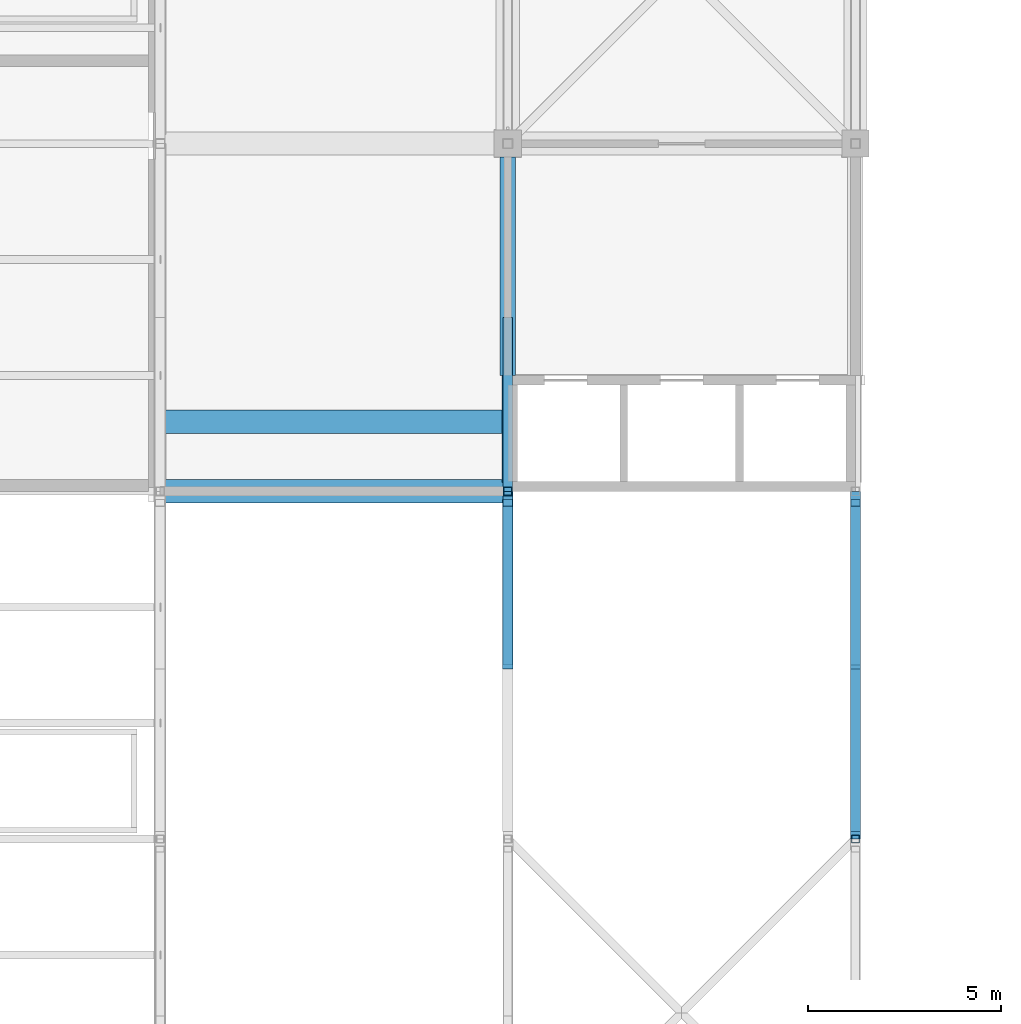
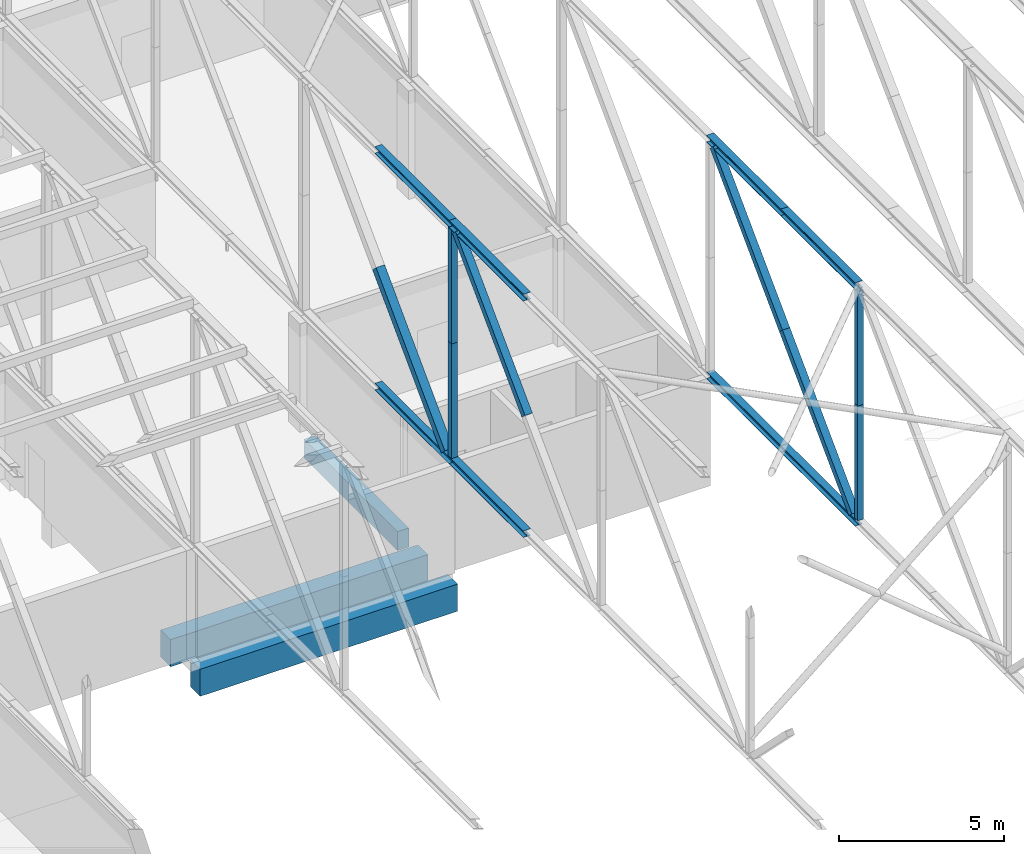
# One storey, part 57 of 646: 16 members, 3 beams.
"""IFC4 building model written with IfcOpenShell, lengths in metres."""

from ifc_helpers import new_model, si_unit, direction, frame, origin, origin_2d, place, context, subcontext, project, spatial, rectangle, hollow_rectangle, i_section, extrude, material, material_profile, profile_set, type_object, element, save


model = new_model("IFC4")

# Units and contexts
model_context = context("Model", 3, precision=1e-05, world=origin(), true_north=direction((0.0, 1.0)))
body_context = subcontext(model_context, "Body", "Model", "MODEL_VIEW")
ifc_project = project(units=[si_unit("LENGTHUNIT", "METRE"), si_unit("AREAUNIT", "SQUARE_METRE"), si_unit("VOLUMEUNIT", "CUBIC_METRE"), si_unit("PLANEANGLEUNIT", "RADIAN"), si_unit("MASSUNIT", "GRAM", prefix="KILO")], contexts=[model_context])

# Site, building, storey
site_placement = place(None, origin())
site = spatial("IfcSite", under=ifc_project, at=site_placement, CompositionType="ELEMENT")
building_placement = place(site_placement, origin())
building = spatial("IfcBuilding", under=site, at=building_placement, Name="Silverbay Arena", CompositionType="ELEMENT")
storey_placement = place(building_placement, frame((0.0, 0.0, 33.5)))
storey = spatial("IfcBuildingStorey", under=building, at=storey_placement, Name="L05", CompositionType="ELEMENT", Elevation=33.5)

# Members
ifc_material_1 = material(Name="Steel S355", Category="steel")
ifc_material_profile_1 = material_profile(ifc_material_1, i_section(OverallWidth=0.254638671875, OverallDepth=0.254150390625, WebThickness=0.008544921875, FlangeThickness=0.01416015625, at=origin_2d()), Name="UC 254x254x73")
ifc_profile_set_1 = profile_set([ifc_material_profile_1], Name="Steel S355")
member_type_1 = type_object("IfcMemberType", Name="Medium-span bottom chord UC 254x254x73", PredefinedType="CHORD", material=ifc_profile_set_1)
for number, where, z_axis, x_axis, name in (
    (1, (90.0, 94.5, 4.126953125), (0.0, 1.0, 0.0), (-1.0, 0.0, 0.0), "ROOF TRUSS 11 bottom chord 10b"),
    (2, (90.0, 99.0, 4.126953125), (0.0, 1.0, 0.0), (-1.0, 0.0, 0.0), "ROOF TRUSS 11 bottom chord 11a"),
    (3, (99.0, 90.0, 4.126953125), (0.0, 1.0, 0.0), (-1.0, 0.0, 0.0), "ROOF TRUSS 12 bottom chord 10a"),
    (4, (99.0, 94.5, 4.126953125), (0.0, 1.0, 0.0), (-1.0, 0.0, 0.0), "ROOF TRUSS 12 bottom chord 10b"),
):
    element("IfcMember", number, at=place(storey_placement, frame(where, z_axis=z_axis, x_axis=x_axis)), inside=storey, type_object=member_type_1, Name=name, PredefinedType="CHORD", context=body_context, shape_type="SweptSolid", body=[
        extrude(i_section(OverallWidth=0.254638671875, OverallDepth=0.254150390625, WebThickness=0.008544921875, FlangeThickness=0.01416015625, at=origin_2d()), origin(), (0.0, 0.0, 1.0), 4.5),
    ])
ifc_material_2 = material(Name="Steel S355", Category="steel")
ifc_material_profile_2 = material_profile(ifc_material_2, i_section(OverallWidth=0.2587890625, OverallDepth=0.2666015625, WebThickness=0.0126953125, FlangeThickness=0.0205078125, at=origin_2d()), Name="UC 254x254x107")
ifc_profile_set_2 = profile_set([ifc_material_profile_2], Name="Steel S355")
member_type_2 = type_object("IfcMemberType", Name="Medium-span top chord UC 254x254x107", PredefinedType="CHORD", material=ifc_profile_set_2)
for number, where, z_axis, x_axis, name in (
    (5, (90.0, 94.5, 12.86669921875), (0.0, 1.0, 0.0), (-1.0, 0.0, 0.0), "ROOF TRUSS 11 top chord 10b"),
    (6, (99.0, 90.0, 12.86669921875), (0.0, 1.0, 0.0), (-1.0, 0.0, 0.0), "ROOF TRUSS 12 top chord 10a"),
    (7, (99.0, 94.5, 12.86669921875), (0.0, 1.0, 0.0), (-1.0, 0.0, 0.0), "ROOF TRUSS 12 top chord 10b"),
):
    element("IfcMember", number, at=place(storey_placement, frame(where, z_axis=z_axis, x_axis=x_axis)), inside=storey, type_object=member_type_2, Name=name, PredefinedType="CHORD", context=body_context, shape_type="SweptSolid", body=[
        extrude(i_section(OverallWidth=0.2587890625, OverallDepth=0.2666015625, WebThickness=0.0126953125, FlangeThickness=0.0205078125, at=origin_2d()), origin(), (0.0, 0.0, 1.0), 4.5),
    ])
ifc_material_3 = material(Name="Steel S355", Category="steel")
ifc_material_profile_3 = material_profile(ifc_material_3, i_section(OverallWidth=0.254638671875, OverallDepth=0.254150390625, WebThickness=0.008544921875, FlangeThickness=0.01416015625, at=origin_2d()), Name="UC 254x254x73")
ifc_profile_set_3 = profile_set([ifc_material_profile_3], Name="Steel S355")
member_type_3 = type_object("IfcMemberType", Name="Medium-span top chord UC 254x254x73", PredefinedType="CHORD", material=ifc_profile_set_3)
member_1_placement = place(storey_placement, frame((90.0, 99.0, 12.873046875), z_axis=(0.0, 1.0, 0.0), x_axis=(-1.0, 0.0, 0.0)))
element("IfcMember", 8, at=member_1_placement, inside=storey, type_object=member_type_3, Name="ROOF TRUSS 11 top chord 11a", PredefinedType="CHORD", context=body_context, shape_type="SweptSolid", body=[
    extrude(i_section(OverallWidth=0.254638671875, OverallDepth=0.254150390625, WebThickness=0.008544921875, FlangeThickness=0.01416015625, at=origin_2d()), origin(), (0.0, 0.0, 1.0), 4.5),
])
ifc_material_4 = material(Name="Steel S355", Category="steel")
ifc_material_profile_4 = material_profile(ifc_material_4, hollow_rectangle(XDim=0.260009765625, YDim=0.260009765625, WallThickness=0.010009765625, at=origin_2d()), Name="SHS 260x260x10")
ifc_profile_set_4 = profile_set([ifc_material_profile_4], Name="Steel S355")
member_type_4 = type_object("IfcMemberType", Name="Medium-span truss diagonal SHS 260x260x10", PredefinedType="BRACE", material=ifc_profile_set_4)
for number, where, z_axis, x_axis, name in (
    (9, (90.0, 98.700439453125, 12.7333984375), (0.0, -0.704218618707, -0.709983194918), (1.0, 0.0, 0.0), "ROOF TRUSS 11 diagonal 10a"),
    (10, (99.0, 98.700439453125, 12.7333984375), (0.0, -0.704218618707, -0.709983194918), (1.0, 0.0, 0.0), "ROOF TRUSS 12 diagonal 10a"),
    (11, (99.0, 94.4951171875, 8.49365234375), (0.0, -0.704259667026, -0.709942477529), (1.0, 0.0, 0.0), "ROOF TRUSS 12 diagonal 10b"),
):
    element("IfcMember", number, at=place(storey_placement, frame(where, z_axis=z_axis, x_axis=x_axis)), inside=storey, type_object=member_type_4, Name=name, PredefinedType="BRACE", context=body_context, shape_type="SweptSolid", body=[
        extrude(hollow_rectangle(XDim=0.260009765625, YDim=0.260009765625, WallThickness=0.010009765625, at=origin_2d()), origin(), (0.0, 0.0, 1.0), 5.9716796875),
    ])
ifc_material_5 = material(Name="Steel S355", Category="steel")
ifc_material_profile_5 = material_profile(ifc_material_5, hollow_rectangle(XDim=0.300048828125, YDim=0.300048828125, WallThickness=0.012451171875, at=origin_2d()), Name="SHS 300x300x12.5")
ifc_profile_set_5 = profile_set([ifc_material_profile_5], Name="Steel S355")
member_type_5 = type_object("IfcMemberType", Name="Medium-span truss diagonal SHS 300x300x12.5", PredefinedType="BRACE", material=ifc_profile_set_5)
member_2_placement = place(storey_placement, frame((90.0, 103.492431640625, 8.5), z_axis=(0.0, -0.700176070598, -0.713970216579), x_axis=(1.0, 0.0, 0.0)))
element("IfcMember", 12, at=member_2_placement, inside=storey, type_object=member_type_5, Name="ROOF TRUSS 11 diagonal 11b", PredefinedType="BRACE", context=body_context, shape_type="SweptSolid", body=[
    extrude(hollow_rectangle(XDim=0.300048828125, YDim=0.300048828125, WallThickness=0.012451171875, at=origin_2d()), origin(), (0.0, 0.0, 1.0), 5.94677734375),
])
ifc_material_6 = material(Name="Steel S355", Category="steel")
ifc_material_profile_6 = material_profile(ifc_material_6, hollow_rectangle(XDim=0.199951171875, YDim=0.199951171875, WallThickness=0.008056640625, at=origin_2d()), Name="SHS 200x200x8")
ifc_profile_set_6 = profile_set([ifc_material_profile_6], Name="Steel S355")
member_type_6 = type_object("IfcMemberType", Name="Medium-span truss vertical SHS 200x200x8", PredefinedType="STRUT", material=ifc_profile_set_6)
member_3_placement = place(storey_placement, frame((99.0, 90.0, 4.254150390625), z_axis=(0.0, 0.0, 1.0), x_axis=(1.0, 0.0, 0.0)))
element("IfcMember", 13, at=member_3_placement, inside=storey, type_object=member_type_6, Name="ROOF TRUSS 12 vertical 10a", PredefinedType="STRUT", context=body_context, shape_type="SweptSolid", body=[
    extrude(hollow_rectangle(XDim=0.199951171875, YDim=0.199951171875, WallThickness=0.008056640625, at=origin_2d()), origin(), (0.0, 0.0, 1.0), 4.239501953125),
])
member_4_placement = place(storey_placement, frame((99.0, 90.0, 8.49365234375), z_axis=(0.0, 0.0, 1.0), x_axis=(1.0, 0.0, 0.0)))
element("IfcMember", 14, at=member_4_placement, inside=storey, type_object=member_type_6, Name="ROOF TRUSS 12 vertical 10b", PredefinedType="STRUT", context=body_context, shape_type="SweptSolid", body=[
    extrude(hollow_rectangle(XDim=0.199951171875, YDim=0.199951171875, WallThickness=0.008056640625, at=origin_2d()), origin(), (0.0, 0.0, 1.0), 4.23974609375),
])
ifc_material_7 = material(Name="Steel S355", Category="steel")
ifc_material_profile_7 = material_profile(ifc_material_7, hollow_rectangle(XDim=0.219970703125, YDim=0.219970703125, WallThickness=0.008056640625, at=origin_2d()), Name="SHS 220x220x8")
ifc_profile_set_7 = profile_set([ifc_material_profile_7], Name="Steel S355")
member_type_7 = type_object("IfcMemberType", Name="Medium-span truss vertical SHS 220x220x8", PredefinedType="STRUT", material=ifc_profile_set_7)
member_5_placement = place(storey_placement, frame((90.0, 99.0, 4.254150390625), z_axis=(0.0, 0.0, 1.0), x_axis=(1.0, 0.0, 0.0)))
element("IfcMember", 15, at=member_5_placement, inside=storey, type_object=member_type_7, Name="ROOF TRUSS 11 vertical 11a", PredefinedType="STRUT", context=body_context, shape_type="SweptSolid", body=[
    extrude(hollow_rectangle(XDim=0.219970703125, YDim=0.219970703125, WallThickness=0.008056640625, at=origin_2d()), origin(), (0.0, 0.0, 1.0), 4.239501953125),
])
member_6_placement = place(storey_placement, frame((90.0, 99.0, 8.49365234375), z_axis=(0.0, 0.0, 1.0), x_axis=(1.0, 0.0, 0.0)))
element("IfcMember", 16, at=member_6_placement, inside=storey, type_object=member_type_7, Name="ROOF TRUSS 11 vertical 11b", PredefinedType="STRUT", context=body_context, shape_type="SweptSolid", body=[
    extrude(hollow_rectangle(XDim=0.219970703125, YDim=0.219970703125, WallThickness=0.008056640625, at=origin_2d()), origin(), (0.0, 0.0, 1.0), 4.23974609375),
])

# Beams
ifc_material_8 = material(Name="Concrete Grade C45", Category="concrete")
ifc_material_profile_8 = material_profile(ifc_material_8, rectangle(XDim=0.39990234375, YDim=0.699951171875, at=origin_2d()), Name="RC 400x700")
ifc_profile_set_8 = profile_set([ifc_material_profile_8], Name="Concrete Grade C45")
beam_type_1 = type_object("IfcBeamType", Name="RC beam 400x700", PredefinedType="BEAM", material=ifc_profile_set_8)
beam_placement = place(storey_placement, frame((90.0, 102.0, -0.64990234375), z_axis=(0.0, 1.0, 0.0), x_axis=(-1.0, 0.0, 0.0)))
element("IfcBeam", 17, at=beam_placement, inside=storey, type_object=beam_type_1, Name="Floor beam L05 092", PredefinedType="BEAM", context=body_context, shape_type="SweptSolid", body=[
    extrude(rectangle(XDim=0.39990234375, YDim=0.699951171875, at=origin_2d()), origin(), (0.0, 0.0, 1.0), 5.64990234375),
])
ifc_material_9 = material(Name="Concrete Grade C45", Category="concrete")
ifc_material_profile_9 = material_profile(ifc_material_9, rectangle(XDim=0.60009765625, YDim=1.0, at=origin_2d()), Name="RC 600x1000")
ifc_profile_set_9 = profile_set([ifc_material_profile_9], Name="Concrete Grade C45")
beam_type_2 = type_object("IfcBeamType", Name="RC beam 600x1000", PredefinedType="BEAM", material=ifc_profile_set_9)
for number, where, z_axis, x_axis, name in (
    (18, (81.0, 99.0, -0.800048828125), (1.0, 0.0, 0.0), (0.0, 1.0, 0.0), "Floor beam L05 040"),
    (19, (81.0, 100.800048828125, -0.800048828125), (1.0, 0.0, 0.0), (0.0, 1.0, 0.0), "Floor beam L05 044"),
):
    element("IfcBeam", number, at=place(storey_placement, frame(where, z_axis=z_axis, x_axis=x_axis)), inside=storey, type_object=beam_type_2, Name=name, PredefinedType="BEAM", context=body_context, shape_type="SweptSolid", body=[
        extrude(rectangle(XDim=0.60009765625, YDim=1.0, at=origin_2d()), origin(), (0.0, 0.0, 1.0), 9.0),
    ])

save(model, "model.ifc")
